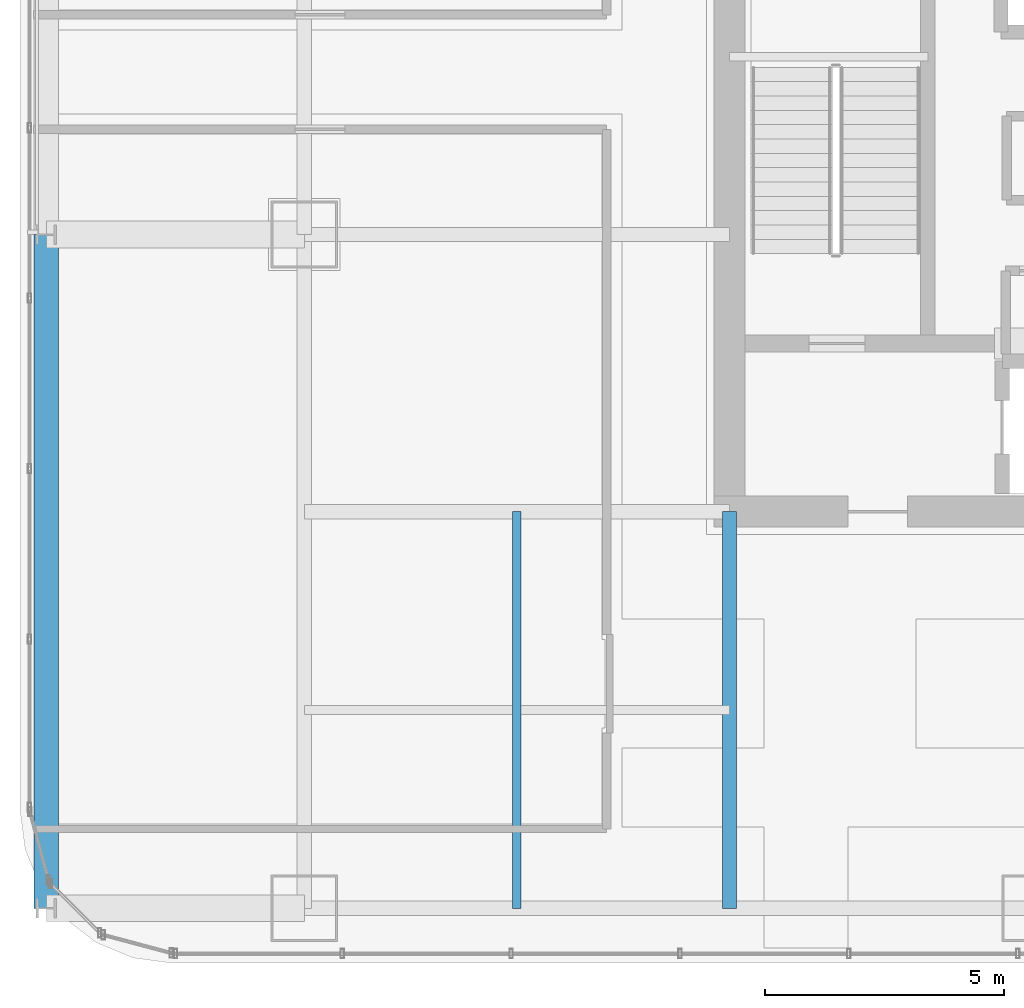
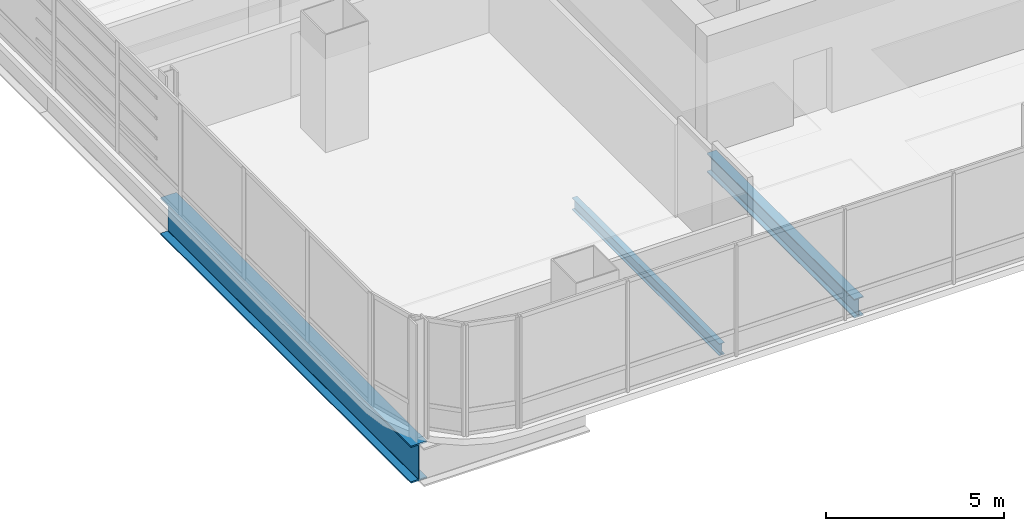
# One storey, part 4 of 38: 3 beams.
"""IFC4 building model written with IfcOpenShell, lengths in metres."""

from ifc_helpers import new_model, si_unit, direction, frame, origin, origin_2d, place, context, subcontext, project, spatial, i_section, extrude, material, material_profile, profile_set, type_object, element, save


model = new_model("IFC4")

# Units and contexts
model_context = context("Model", 3, precision=1e-05, world=origin(), true_north=direction((0.0, 1.0)))
body_context = subcontext(model_context, "Body", "Model", "MODEL_VIEW")
ifc_project = project(units=[si_unit("LENGTHUNIT", "METRE"), si_unit("AREAUNIT", "SQUARE_METRE"), si_unit("VOLUMEUNIT", "CUBIC_METRE"), si_unit("PLANEANGLEUNIT", "RADIAN"), si_unit("MASSUNIT", "GRAM", prefix="KILO")], contexts=[model_context])

# Site, building, storey
site_placement = place(None, origin())
site = spatial("IfcSite", under=ifc_project, at=site_placement, CompositionType="ELEMENT")
building_placement = place(site_placement, origin())
building = spatial("IfcBuilding", under=site, at=building_placement, Name="Punatoya Terracotta Tower", CompositionType="ELEMENT")
storey_placement = place(building_placement, frame((0.0, 0.0, 147.89990234375)))
storey = spatial("IfcBuildingStorey", under=building, at=storey_placement, Name="L34", CompositionType="ELEMENT", Elevation=147.89990234375)

# Beams
ifc_material_1 = material(Name="Steel S355", Category="steel")
ifc_material_profile_1 = material_profile(ifc_material_1, i_section(OverallWidth=0.300048828125, OverallDepth=0.64990234375, WebThickness=0.01611328125, FlangeThickness=0.031005859375, FilletRadius=0.01806640625, at=origin_2d()))
ifc_profile_set_1 = profile_set([ifc_material_profile_1], Name="Steel S355")
beam_type_1 = type_object("IfcBeamType", Name="BM-PRI-650", PredefinedType="BEAM", material=ifc_profile_set_1)
beam_1_placement = place(storey_placement, frame((-10.199951171875, -17.5, -0.544921875), z_axis=(0.0, 1.0, 0.0), x_axis=(-1.0, 0.0, 0.0)))
element("IfcBeam", 1, at=beam_1_placement, inside=storey, type_object=beam_type_1, Name="BM-L34-PR-S1", PredefinedType="BEAM", context=body_context, shape_type="SweptSolid", body=[
    extrude(i_section(OverallWidth=0.300048828125, OverallDepth=0.64990234375, WebThickness=0.01611328125, FlangeThickness=0.031005859375, FilletRadius=0.01806640625, at=origin_2d()), origin(), (0.0, 0.0, 1.0), 8.300048828125),
])
ifc_material_profile_2 = material_profile(ifc_material_1, i_section(OverallWidth=0.179931640625, OverallDepth=0.39990234375, WebThickness=0.008544921875, FlangeThickness=0.013427734375, FilletRadius=0.01806640625, at=origin_2d()))
ifc_profile_set_2 = profile_set([ifc_material_profile_2], Name="Steel S355")
beam_type_2 = type_object("IfcBeamType", Name="BM-SEC-400", PredefinedType="JOIST", material=ifc_profile_set_2)
beam_2_placement = place(storey_placement, frame((-14.64990234375, -17.5, -0.419921875), z_axis=(0.0, 1.0, 0.0), x_axis=(-1.0, 0.0, 0.0)))
element("IfcBeam", 2, at=beam_2_placement, inside=storey, type_object=beam_type_2, Name="BM-L34-SJW-1", PredefinedType="JOIST", context=body_context, shape_type="SweptSolid", body=[
    extrude(i_section(OverallWidth=0.179931640625, OverallDepth=0.39990234375, WebThickness=0.008544921875, FlangeThickness=0.013427734375, FilletRadius=0.01806640625, at=origin_2d()), origin(), (0.0, 0.0, 1.0), 8.300048828125),
])
ifc_material_2 = material(Name="Steel S460", Category="steel")
ifc_material_profile_3 = material_profile(ifc_material_2, i_section(OverallWidth=0.52001953125, OverallDepth=1.280029296875, WebThickness=0.031982421875, FlangeThickness=0.050048828125, FilletRadius=0.01806640625, at=origin_2d()))
ifc_profile_set_3 = profile_set([ifc_material_profile_3], Name="Steel S460")
beam_type_3 = type_object("IfcBeamType", Name="BM-TG-NCK", PredefinedType="BEAM", material=ifc_profile_set_3)
beam_3_placement = place(storey_placement, frame((-24.5, -17.5, -0.85986328125), z_axis=(0.0, 1.0, 0.0), x_axis=(-1.0, 0.0, 0.0)))
element("IfcBeam", 3, at=beam_3_placement, inside=storey, type_object=beam_type_3, Name="BM-L34-PER-W1", PredefinedType="BEAM", context=body_context, shape_type="SweptSolid", body=[
    extrude(i_section(OverallWidth=0.52001953125, OverallDepth=1.280029296875, WebThickness=0.031982421875, FlangeThickness=0.050048828125, FilletRadius=0.01806640625, at=origin_2d()), origin(), (0.0, 0.0, 1.0), 14.10009765625),
])

save(model, "model.ifc")
